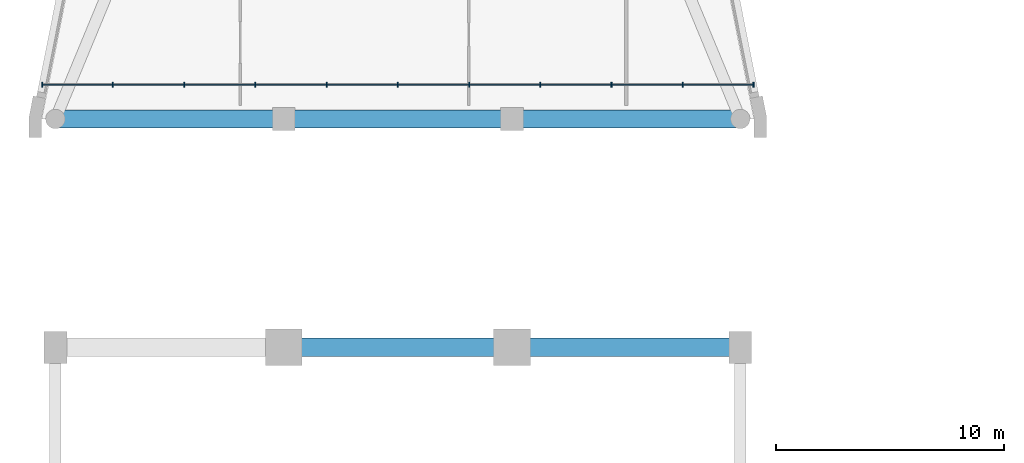
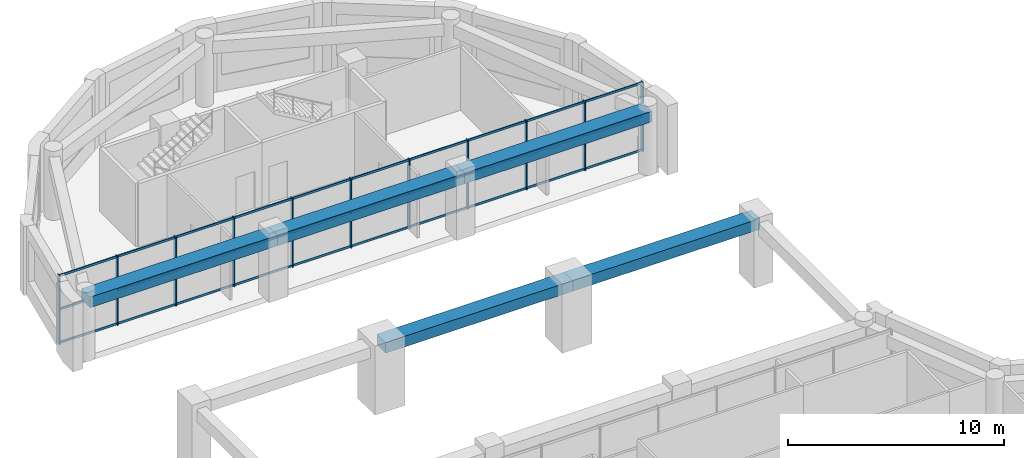
# One storey, part 3 of 11: 41 members, 5 beams, 1 element without a shape of its own.
"""IFC4 building model written with IfcOpenShell, lengths in metres."""

from ifc_helpers import new_model, si_unit, direction, frame, origin, origin_2d, place, context, subcontext, project, spatial, rectangle, extrude, material, layer, layer_set, material_profile, profile_set, type_object, element, aggregate, save


model = new_model("IFC4")

# Units and contexts
model_context = context("Model", 3, precision=1e-05, world=origin(), true_north=direction((0.0, 1.0)))
body_context = subcontext(model_context, "Body", "Model", "MODEL_VIEW")
ifc_project = project(units=[si_unit("LENGTHUNIT", "METRE"), si_unit("AREAUNIT", "SQUARE_METRE"), si_unit("VOLUMEUNIT", "CUBIC_METRE"), si_unit("PLANEANGLEUNIT", "RADIAN"), si_unit("MASSUNIT", "GRAM", prefix="KILO")], contexts=[model_context])

# Site, building, storey
site_placement = place(None, origin())
site = spatial("IfcSite", under=ifc_project, at=site_placement, CompositionType="ELEMENT")
building_placement = place(site_placement, origin())
building = spatial("IfcBuilding", under=site, at=building_placement, Name="Qaws Garden Tower", CompositionType="ELEMENT")
storey_placement = place(building_placement, frame((0.0, 0.0, 317.699951171875)))
storey = spatial("IfcBuildingStorey", under=building, at=storey_placement, Name="L77", CompositionType="ELEMENT", Elevation=317.699951171875)

# Curtain wall, members
ifc_material_1 = material(Name="Anodised aluminium curtain wall frame", Category="aluminium")
ifc_layer = layer(ifc_material_1, 0.159912109375)
ifc_layer_set = layer_set([ifc_layer], Name="Anodised aluminium curtain wall frame")
curtain_wall_type = type_object("IfcCurtainWallType", Name="CW5 portal screen curtain wall", PredefinedType="NOTDEFINED", material=ifc_layer_set)
curtain_wall_placement = place(storey_placement, origin())
curtain_wall = element("IfcCurtainWall", 1, at=curtain_wall_placement, inside=storey, type_object=curtain_wall_type, Name="CW5 Portal screen 1", PredefinedType="NOTDEFINED")
ifc_material_2 = material(Name="Anodised aluminium curtain wall frame", Category="aluminium")
ifc_material_profile_1 = material_profile(ifc_material_2, rectangle(XDim=0.199951171875, YDim=0.050048828125, at=origin_2d()), Name="AL 50x200")
ifc_profile_set_1 = profile_set([ifc_material_profile_1], Name="Anodised aluminium curtain wall frame")
member_type_1 = type_object("IfcMemberType", Name="CW5 mullion 50 x 200", PredefinedType="MULLION", material=ifc_profile_set_1)
member_1_placement = place(storey_placement, frame((-0.574951171875, 61.5, 0.0), z_axis=(0.0, 0.0, 1.0), x_axis=(0.0, 1.0, 0.0)))
member_1 = element("IfcMember", 2, at=member_1_placement, type_object=member_type_1, Name="CW5 mullion 1", PredefinedType="MULLION", context=body_context, shape_type="SweptSolid", body=[
    extrude(rectangle(XDim=0.199951171875, YDim=0.050048828125, at=origin_2d()), origin(), (0.0, 0.0, 1.0), 3.900146484375),
])
member_2_placement = place(storey_placement, frame((2.52001953125, 61.5, 0.0), z_axis=(0.0, 0.0, 1.0), x_axis=(0.0, 1.0, 0.0)))
member_2 = element("IfcMember", 3, at=member_2_placement, type_object=member_type_1, Name="CW5 mullion 2", PredefinedType="MULLION", context=body_context, shape_type="SweptSolid", body=[
    extrude(rectangle(XDim=0.199951171875, YDim=0.050048828125, at=origin_2d()), origin(), (0.0, 0.0, 1.0), 3.900146484375),
])
member_3_placement = place(storey_placement, frame((5.639892578125, 61.5, 0.0), z_axis=(0.0, 0.0, 1.0), x_axis=(0.0, 1.0, 0.0)))
member_3 = element("IfcMember", 4, at=member_3_placement, type_object=member_type_1, Name="CW5 mullion 3", PredefinedType="MULLION", context=body_context, shape_type="SweptSolid", body=[
    extrude(rectangle(XDim=0.199951171875, YDim=0.050048828125, at=origin_2d()), origin(), (0.0, 0.0, 1.0), 3.900146484375),
])
member_4_placement = place(storey_placement, frame((8.760009765625, 61.5, 0.0), z_axis=(0.0, 0.0, 1.0), x_axis=(0.0, 1.0, 0.0)))
member_4 = element("IfcMember", 5, at=member_4_placement, type_object=member_type_1, Name="CW5 mullion 4", PredefinedType="MULLION", context=body_context, shape_type="SweptSolid", body=[
    extrude(rectangle(XDim=0.199951171875, YDim=0.050048828125, at=origin_2d()), origin(), (0.0, 0.0, 1.0), 3.900146484375),
])
member_5_placement = place(storey_placement, frame((11.8798828125, 61.5, 0.0), z_axis=(0.0, 0.0, 1.0), x_axis=(0.0, 1.0, 0.0)))
member_5 = element("IfcMember", 6, at=member_5_placement, type_object=member_type_1, Name="CW5 mullion 5", PredefinedType="MULLION", context=body_context, shape_type="SweptSolid", body=[
    extrude(rectangle(XDim=0.199951171875, YDim=0.050048828125, at=origin_2d()), origin(), (0.0, 0.0, 1.0), 3.900146484375),
])
member_6_placement = place(storey_placement, frame((15.0, 61.5, 0.0), z_axis=(0.0, 0.0, 1.0), x_axis=(0.0, 1.0, 0.0)))
member_6 = element("IfcMember", 7, at=member_6_placement, type_object=member_type_1, Name="CW5 mullion 6", PredefinedType="MULLION", context=body_context, shape_type="SweptSolid", body=[
    extrude(rectangle(XDim=0.199951171875, YDim=0.050048828125, at=origin_2d()), origin(), (0.0, 0.0, 1.0), 3.900146484375),
])
member_7_placement = place(storey_placement, frame((18.1201171875, 61.5, 0.0), z_axis=(0.0, 0.0, 1.0), x_axis=(0.0, 1.0, 0.0)))
member_7 = element("IfcMember", 8, at=member_7_placement, type_object=member_type_1, Name="CW5 mullion 7", PredefinedType="MULLION", context=body_context, shape_type="SweptSolid", body=[
    extrude(rectangle(XDim=0.199951171875, YDim=0.050048828125, at=origin_2d()), origin(), (0.0, 0.0, 1.0), 3.900146484375),
])
member_8_placement = place(storey_placement, frame((21.239990234375, 61.5, 0.0), z_axis=(0.0, 0.0, 1.0), x_axis=(0.0, 1.0, 0.0)))
member_8 = element("IfcMember", 9, at=member_8_placement, type_object=member_type_1, Name="CW5 mullion 8", PredefinedType="MULLION", context=body_context, shape_type="SweptSolid", body=[
    extrude(rectangle(XDim=0.199951171875, YDim=0.050048828125, at=origin_2d()), origin(), (0.0, 0.0, 1.0), 3.900146484375),
])
member_9_placement = place(storey_placement, frame((24.360107421875, 61.5, 0.0), z_axis=(0.0, 0.0, 1.0), x_axis=(0.0, 1.0, 0.0)))
member_9 = element("IfcMember", 10, at=member_9_placement, type_object=member_type_1, Name="CW5 mullion 9", PredefinedType="MULLION", context=body_context, shape_type="SweptSolid", body=[
    extrude(rectangle(XDim=0.199951171875, YDim=0.050048828125, at=origin_2d()), origin(), (0.0, 0.0, 1.0), 3.900146484375),
])
member_10_placement = place(storey_placement, frame((27.47998046875, 61.5, 0.0), z_axis=(0.0, 0.0, 1.0), x_axis=(0.0, 1.0, 0.0)))
member_10 = element("IfcMember", 11, at=member_10_placement, type_object=member_type_1, Name="CW5 mullion 10", PredefinedType="MULLION", context=body_context, shape_type="SweptSolid", body=[
    extrude(rectangle(XDim=0.199951171875, YDim=0.050048828125, at=origin_2d()), origin(), (0.0, 0.0, 1.0), 3.900146484375),
])
member_11_placement = place(storey_placement, frame((30.574951171875, 61.5, 0.0), z_axis=(0.0, 0.0, 1.0), x_axis=(0.0, 1.0, 0.0)))
member_11 = element("IfcMember", 12, at=member_11_placement, type_object=member_type_1, Name="CW5 mullion 11", PredefinedType="MULLION", context=body_context, shape_type="SweptSolid", body=[
    extrude(rectangle(XDim=0.199951171875, YDim=0.050048828125, at=origin_2d()), origin(), (0.0, 0.0, 1.0), 3.900146484375),
])
ifc_material_3 = material(Name="Anodised aluminium curtain wall frame", Category="aluminium")
ifc_material_profile_2 = material_profile(ifc_material_3, rectangle(XDim=0.050048828125, YDim=0.1201171875, at=origin_2d()), Name="AL 50x120")
ifc_profile_set_2 = profile_set([ifc_material_profile_2], Name="Anodised aluminium curtain wall frame")
member_type_2 = type_object("IfcMemberType", Name="CW5 transom 120 x 50", PredefinedType="USERDEFINED", material=ifc_profile_set_2)
member_12_placement = place(storey_placement, frame((-0.550048828125, 61.5, 0.06005859375), z_axis=(1.0, 0.0, 0.0), x_axis=(0.0, 1.0, 0.0)))
member_12 = element("IfcMember", 13, at=member_12_placement, type_object=member_type_2, Name="CW5 transom 1.1", ObjectType="TRANSOM", PredefinedType="USERDEFINED", context=body_context, shape_type="SweptSolid", body=[
    extrude(rectangle(XDim=0.050048828125, YDim=0.1201171875, at=origin_2d()), origin(), (0.0, 0.0, 1.0), 3.045166015625),
])
member_13_placement = place(storey_placement, frame((-0.550048828125, 61.5, 1.949951171875), z_axis=(1.0, 0.0, 0.0), x_axis=(0.0, 1.0, 0.0)))
member_13 = element("IfcMember", 14, at=member_13_placement, type_object=member_type_2, Name="CW5 transom 1.2", ObjectType="TRANSOM", PredefinedType="USERDEFINED", context=body_context, shape_type="SweptSolid", body=[
    extrude(rectangle(XDim=0.050048828125, YDim=0.1201171875, at=origin_2d()), origin(), (0.0, 0.0, 1.0), 3.045166015625),
])
member_14_placement = place(storey_placement, frame((-0.550048828125, 61.5, 3.840087890625), z_axis=(1.0, 0.0, 0.0), x_axis=(0.0, 1.0, 0.0)))
member_14 = element("IfcMember", 15, at=member_14_placement, type_object=member_type_2, Name="CW5 transom 1.3", ObjectType="TRANSOM", PredefinedType="USERDEFINED", context=body_context, shape_type="SweptSolid", body=[
    extrude(rectangle(XDim=0.050048828125, YDim=0.1201171875, at=origin_2d()), origin(), (0.0, 0.0, 1.0), 3.045166015625),
])
member_15_placement = place(storey_placement, frame((2.544921875, 61.5, 0.06005859375), z_axis=(1.0, 0.0, 0.0), x_axis=(0.0, 1.0, 0.0)))
member_15 = element("IfcMember", 16, at=member_15_placement, type_object=member_type_2, Name="CW5 transom 2.1", ObjectType="TRANSOM", PredefinedType="USERDEFINED", context=body_context, shape_type="SweptSolid", body=[
    extrude(rectangle(XDim=0.050048828125, YDim=0.1201171875, at=origin_2d()), origin(), (0.0, 0.0, 1.0), 3.070068359375),
])
member_16_placement = place(storey_placement, frame((2.544921875, 61.5, 1.949951171875), z_axis=(1.0, 0.0, 0.0), x_axis=(0.0, 1.0, 0.0)))
member_16 = element("IfcMember", 17, at=member_16_placement, type_object=member_type_2, Name="CW5 transom 2.2", ObjectType="TRANSOM", PredefinedType="USERDEFINED", context=body_context, shape_type="SweptSolid", body=[
    extrude(rectangle(XDim=0.050048828125, YDim=0.1201171875, at=origin_2d()), origin(), (0.0, 0.0, 1.0), 3.070068359375),
])
member_17_placement = place(storey_placement, frame((2.544921875, 61.5, 3.840087890625), z_axis=(1.0, 0.0, 0.0), x_axis=(0.0, 1.0, 0.0)))
member_17 = element("IfcMember", 18, at=member_17_placement, type_object=member_type_2, Name="CW5 transom 2.3", ObjectType="TRANSOM", PredefinedType="USERDEFINED", context=body_context, shape_type="SweptSolid", body=[
    extrude(rectangle(XDim=0.050048828125, YDim=0.1201171875, at=origin_2d()), origin(), (0.0, 0.0, 1.0), 3.070068359375),
])
member_18_placement = place(storey_placement, frame((5.6650390625, 61.5, 0.06005859375), z_axis=(1.0, 0.0, 0.0), x_axis=(0.0, 1.0, 0.0)))
member_18 = element("IfcMember", 19, at=member_18_placement, type_object=member_type_2, Name="CW5 transom 3.1", ObjectType="TRANSOM", PredefinedType="USERDEFINED", context=body_context, shape_type="SweptSolid", body=[
    extrude(rectangle(XDim=0.050048828125, YDim=0.1201171875, at=origin_2d()), origin(), (0.0, 0.0, 1.0), 3.070068359375),
])
member_19_placement = place(storey_placement, frame((5.6650390625, 61.5, 1.949951171875), z_axis=(1.0, 0.0, 0.0), x_axis=(0.0, 1.0, 0.0)))
member_19 = element("IfcMember", 20, at=member_19_placement, type_object=member_type_2, Name="CW5 transom 3.2", ObjectType="TRANSOM", PredefinedType="USERDEFINED", context=body_context, shape_type="SweptSolid", body=[
    extrude(rectangle(XDim=0.050048828125, YDim=0.1201171875, at=origin_2d()), origin(), (0.0, 0.0, 1.0), 3.070068359375),
])
member_20_placement = place(storey_placement, frame((5.6650390625, 61.5, 3.840087890625), z_axis=(1.0, 0.0, 0.0), x_axis=(0.0, 1.0, 0.0)))
member_20 = element("IfcMember", 21, at=member_20_placement, type_object=member_type_2, Name="CW5 transom 3.3", ObjectType="TRANSOM", PredefinedType="USERDEFINED", context=body_context, shape_type="SweptSolid", body=[
    extrude(rectangle(XDim=0.050048828125, YDim=0.1201171875, at=origin_2d()), origin(), (0.0, 0.0, 1.0), 3.070068359375),
])
member_21_placement = place(storey_placement, frame((8.784912109375, 61.5, 0.06005859375), z_axis=(1.0, 0.0, 0.0), x_axis=(0.0, 1.0, 0.0)))
member_21 = element("IfcMember", 22, at=member_21_placement, type_object=member_type_2, Name="CW5 transom 4.1", ObjectType="TRANSOM", PredefinedType="USERDEFINED", context=body_context, shape_type="SweptSolid", body=[
    extrude(rectangle(XDim=0.050048828125, YDim=0.1201171875, at=origin_2d()), origin(), (0.0, 0.0, 1.0), 3.070068359375),
])
member_22_placement = place(storey_placement, frame((8.784912109375, 61.5, 1.949951171875), z_axis=(1.0, 0.0, 0.0), x_axis=(0.0, 1.0, 0.0)))
member_22 = element("IfcMember", 23, at=member_22_placement, type_object=member_type_2, Name="CW5 transom 4.2", ObjectType="TRANSOM", PredefinedType="USERDEFINED", context=body_context, shape_type="SweptSolid", body=[
    extrude(rectangle(XDim=0.050048828125, YDim=0.1201171875, at=origin_2d()), origin(), (0.0, 0.0, 1.0), 3.070068359375),
])
member_23_placement = place(storey_placement, frame((8.784912109375, 61.5, 3.840087890625), z_axis=(1.0, 0.0, 0.0), x_axis=(0.0, 1.0, 0.0)))
member_23 = element("IfcMember", 24, at=member_23_placement, type_object=member_type_2, Name="CW5 transom 4.3", ObjectType="TRANSOM", PredefinedType="USERDEFINED", context=body_context, shape_type="SweptSolid", body=[
    extrude(rectangle(XDim=0.050048828125, YDim=0.1201171875, at=origin_2d()), origin(), (0.0, 0.0, 1.0), 3.070068359375),
])
member_24_placement = place(storey_placement, frame((11.905029296875, 61.5, 0.06005859375), z_axis=(1.0, 0.0, 0.0), x_axis=(0.0, 1.0, 0.0)))
member_24 = element("IfcMember", 25, at=member_24_placement, type_object=member_type_2, Name="CW5 transom 5.1", ObjectType="TRANSOM", PredefinedType="USERDEFINED", context=body_context, shape_type="SweptSolid", body=[
    extrude(rectangle(XDim=0.050048828125, YDim=0.1201171875, at=origin_2d()), origin(), (0.0, 0.0, 1.0), 3.070068359375),
])
member_25_placement = place(storey_placement, frame((11.905029296875, 61.5, 1.949951171875), z_axis=(1.0, 0.0, 0.0), x_axis=(0.0, 1.0, 0.0)))
member_25 = element("IfcMember", 26, at=member_25_placement, type_object=member_type_2, Name="CW5 transom 5.2", ObjectType="TRANSOM", PredefinedType="USERDEFINED", context=body_context, shape_type="SweptSolid", body=[
    extrude(rectangle(XDim=0.050048828125, YDim=0.1201171875, at=origin_2d()), origin(), (0.0, 0.0, 1.0), 3.070068359375),
])
member_26_placement = place(storey_placement, frame((11.905029296875, 61.5, 3.840087890625), z_axis=(1.0, 0.0, 0.0), x_axis=(0.0, 1.0, 0.0)))
member_26 = element("IfcMember", 27, at=member_26_placement, type_object=member_type_2, Name="CW5 transom 5.3", ObjectType="TRANSOM", PredefinedType="USERDEFINED", context=body_context, shape_type="SweptSolid", body=[
    extrude(rectangle(XDim=0.050048828125, YDim=0.1201171875, at=origin_2d()), origin(), (0.0, 0.0, 1.0), 3.070068359375),
])
member_27_placement = place(storey_placement, frame((15.02490234375, 61.5, 0.06005859375), z_axis=(1.0, 0.0, 0.0), x_axis=(0.0, 1.0, 0.0)))
member_27 = element("IfcMember", 28, at=member_27_placement, type_object=member_type_2, Name="CW5 transom 6.1", ObjectType="TRANSOM", PredefinedType="USERDEFINED", context=body_context, shape_type="SweptSolid", body=[
    extrude(rectangle(XDim=0.050048828125, YDim=0.1201171875, at=origin_2d()), origin(), (0.0, 0.0, 1.0), 3.070068359375),
])
member_28_placement = place(storey_placement, frame((15.02490234375, 61.5, 1.949951171875), z_axis=(1.0, 0.0, 0.0), x_axis=(0.0, 1.0, 0.0)))
member_28 = element("IfcMember", 29, at=member_28_placement, type_object=member_type_2, Name="CW5 transom 6.2", ObjectType="TRANSOM", PredefinedType="USERDEFINED", context=body_context, shape_type="SweptSolid", body=[
    extrude(rectangle(XDim=0.050048828125, YDim=0.1201171875, at=origin_2d()), origin(), (0.0, 0.0, 1.0), 3.070068359375),
])
member_29_placement = place(storey_placement, frame((15.02490234375, 61.5, 3.840087890625), z_axis=(1.0, 0.0, 0.0), x_axis=(0.0, 1.0, 0.0)))
member_29 = element("IfcMember", 30, at=member_29_placement, type_object=member_type_2, Name="CW5 transom 6.3", ObjectType="TRANSOM", PredefinedType="USERDEFINED", context=body_context, shape_type="SweptSolid", body=[
    extrude(rectangle(XDim=0.050048828125, YDim=0.1201171875, at=origin_2d()), origin(), (0.0, 0.0, 1.0), 3.070068359375),
])
member_30_placement = place(storey_placement, frame((18.14501953125, 61.5, 0.06005859375), z_axis=(1.0, 0.0, 0.0), x_axis=(0.0, 1.0, 0.0)))
member_30 = element("IfcMember", 31, at=member_30_placement, type_object=member_type_2, Name="CW5 transom 7.1", ObjectType="TRANSOM", PredefinedType="USERDEFINED", context=body_context, shape_type="SweptSolid", body=[
    extrude(rectangle(XDim=0.050048828125, YDim=0.1201171875, at=origin_2d()), origin(), (0.0, 0.0, 1.0), 3.070068359375),
])
member_31_placement = place(storey_placement, frame((18.14501953125, 61.5, 1.949951171875), z_axis=(1.0, 0.0, 0.0), x_axis=(0.0, 1.0, 0.0)))
member_31 = element("IfcMember", 32, at=member_31_placement, type_object=member_type_2, Name="CW5 transom 7.2", ObjectType="TRANSOM", PredefinedType="USERDEFINED", context=body_context, shape_type="SweptSolid", body=[
    extrude(rectangle(XDim=0.050048828125, YDim=0.1201171875, at=origin_2d()), origin(), (0.0, 0.0, 1.0), 3.070068359375),
])
member_32_placement = place(storey_placement, frame((18.14501953125, 61.5, 3.840087890625), z_axis=(1.0, 0.0, 0.0), x_axis=(0.0, 1.0, 0.0)))
member_32 = element("IfcMember", 33, at=member_32_placement, type_object=member_type_2, Name="CW5 transom 7.3", ObjectType="TRANSOM", PredefinedType="USERDEFINED", context=body_context, shape_type="SweptSolid", body=[
    extrude(rectangle(XDim=0.050048828125, YDim=0.1201171875, at=origin_2d()), origin(), (0.0, 0.0, 1.0), 3.070068359375),
])
member_33_placement = place(storey_placement, frame((21.264892578125, 61.5, 0.06005859375), z_axis=(1.0, 0.0, 0.0), x_axis=(0.0, 1.0, 0.0)))
member_33 = element("IfcMember", 34, at=member_33_placement, type_object=member_type_2, Name="CW5 transom 8.1", ObjectType="TRANSOM", PredefinedType="USERDEFINED", context=body_context, shape_type="SweptSolid", body=[
    extrude(rectangle(XDim=0.050048828125, YDim=0.1201171875, at=origin_2d()), origin(), (0.0, 0.0, 1.0), 3.070068359375),
])
member_34_placement = place(storey_placement, frame((21.264892578125, 61.5, 1.949951171875), z_axis=(1.0, 0.0, 0.0), x_axis=(0.0, 1.0, 0.0)))
member_34 = element("IfcMember", 35, at=member_34_placement, type_object=member_type_2, Name="CW5 transom 8.2", ObjectType="TRANSOM", PredefinedType="USERDEFINED", context=body_context, shape_type="SweptSolid", body=[
    extrude(rectangle(XDim=0.050048828125, YDim=0.1201171875, at=origin_2d()), origin(), (0.0, 0.0, 1.0), 3.070068359375),
])
member_35_placement = place(storey_placement, frame((21.264892578125, 61.5, 3.840087890625), z_axis=(1.0, 0.0, 0.0), x_axis=(0.0, 1.0, 0.0)))
member_35 = element("IfcMember", 36, at=member_35_placement, type_object=member_type_2, Name="CW5 transom 8.3", ObjectType="TRANSOM", PredefinedType="USERDEFINED", context=body_context, shape_type="SweptSolid", body=[
    extrude(rectangle(XDim=0.050048828125, YDim=0.1201171875, at=origin_2d()), origin(), (0.0, 0.0, 1.0), 3.070068359375),
])
member_36_placement = place(storey_placement, frame((24.385009765625, 61.5, 0.06005859375), z_axis=(1.0, 0.0, 0.0), x_axis=(0.0, 1.0, 0.0)))
member_36 = element("IfcMember", 37, at=member_36_placement, type_object=member_type_2, Name="CW5 transom 9.1", ObjectType="TRANSOM", PredefinedType="USERDEFINED", context=body_context, shape_type="SweptSolid", body=[
    extrude(rectangle(XDim=0.050048828125, YDim=0.1201171875, at=origin_2d()), origin(), (0.0, 0.0, 1.0), 3.070068359375),
])
member_37_placement = place(storey_placement, frame((24.385009765625, 61.5, 1.949951171875), z_axis=(1.0, 0.0, 0.0), x_axis=(0.0, 1.0, 0.0)))
member_37 = element("IfcMember", 38, at=member_37_placement, type_object=member_type_2, Name="CW5 transom 9.2", ObjectType="TRANSOM", PredefinedType="USERDEFINED", context=body_context, shape_type="SweptSolid", body=[
    extrude(rectangle(XDim=0.050048828125, YDim=0.1201171875, at=origin_2d()), origin(), (0.0, 0.0, 1.0), 3.070068359375),
])
member_38_placement = place(storey_placement, frame((24.385009765625, 61.5, 3.840087890625), z_axis=(1.0, 0.0, 0.0), x_axis=(0.0, 1.0, 0.0)))
member_38 = element("IfcMember", 39, at=member_38_placement, type_object=member_type_2, Name="CW5 transom 9.3", ObjectType="TRANSOM", PredefinedType="USERDEFINED", context=body_context, shape_type="SweptSolid", body=[
    extrude(rectangle(XDim=0.050048828125, YDim=0.1201171875, at=origin_2d()), origin(), (0.0, 0.0, 1.0), 3.070068359375),
])
member_39_placement = place(storey_placement, frame((27.5048828125, 61.5, 0.06005859375), z_axis=(1.0, 0.0, 0.0), x_axis=(0.0, 1.0, 0.0)))
member_39 = element("IfcMember", 40, at=member_39_placement, type_object=member_type_2, Name="CW5 transom 10.1", ObjectType="TRANSOM", PredefinedType="USERDEFINED", context=body_context, shape_type="SweptSolid", body=[
    extrude(rectangle(XDim=0.050048828125, YDim=0.1201171875, at=origin_2d()), origin(), (0.0, 0.0, 1.0), 3.045166015625),
])
member_40_placement = place(storey_placement, frame((27.5048828125, 61.5, 1.949951171875), z_axis=(1.0, 0.0, 0.0), x_axis=(0.0, 1.0, 0.0)))
member_40 = element("IfcMember", 41, at=member_40_placement, type_object=member_type_2, Name="CW5 transom 10.2", ObjectType="TRANSOM", PredefinedType="USERDEFINED", context=body_context, shape_type="SweptSolid", body=[
    extrude(rectangle(XDim=0.050048828125, YDim=0.1201171875, at=origin_2d()), origin(), (0.0, 0.0, 1.0), 3.045166015625),
])
member_41_placement = place(storey_placement, frame((27.5048828125, 61.5, 3.840087890625), z_axis=(1.0, 0.0, 0.0), x_axis=(0.0, 1.0, 0.0)))
member_41 = element("IfcMember", 42, at=member_41_placement, type_object=member_type_2, Name="CW5 transom 10.3", ObjectType="TRANSOM", PredefinedType="USERDEFINED", context=body_context, shape_type="SweptSolid", body=[
    extrude(rectangle(XDim=0.050048828125, YDim=0.1201171875, at=origin_2d()), origin(), (0.0, 0.0, 1.0), 3.045166015625),
])
aggregate(curtain_wall, [member_1, member_2, member_3, member_4, member_5, member_6, member_7, member_8, member_9, member_10, member_11, member_12, member_13, member_14, member_15, member_16, member_17, member_18, member_19, member_20, member_21, member_22, member_23, member_24, member_25, member_26, member_27, member_28, member_29, member_30, member_31, member_32, member_33, member_34, member_35, member_36, member_37, member_38, member_39, member_40, member_41])

# Beams
ifc_material_4 = material(Name="Concrete C45", Category="concrete")
ifc_material_profile_3 = material_profile(ifc_material_4, rectangle(XDim=0.800048828125, YDim=0.60009765625, at=origin_2d()), Name="RC 800x600")
ifc_profile_set_3 = profile_set([ifc_material_profile_3], Name="Concrete C45")
beam_type = type_object("IfcBeamType", Name="Portal edge beam RC 800x600 C45", PredefinedType="BEAM", material=ifc_profile_set_3)
for number, where, z_axis, x_axis, name in (
    (43, (10.0, 50.0, 3.280029296875), (1.0, 0.0, 0.0), (0.0, 1.0, 0.0), "Portal tie beam L77-5"),
    (44, (20.0, 50.0, 3.280029296875), (1.0, 0.0, 0.0), (0.0, 1.0, 0.0), "Portal tie beam L77-6"),
    (45, (0.0, 60.0, 3.280029296875), (1.0, 0.0, 0.0), (0.0, 1.0, 0.0), "Portal edge beam L77-7"),
    (46, (10.0, 60.0, 3.280029296875), (1.0, 0.0, 0.0), (0.0, 1.0, 0.0), "Portal edge beam L77-8"),
    (47, (20.0, 60.0, 3.280029296875), (1.0, 0.0, 0.0), (0.0, 1.0, 0.0), "Portal edge beam L77-9"),
):
    element("IfcBeam", number, at=place(storey_placement, frame(where, z_axis=z_axis, x_axis=x_axis)), inside=storey, type_object=beam_type, Name=name, PredefinedType="BEAM", context=body_context, shape_type="SweptSolid", body=[
        extrude(rectangle(XDim=0.800048828125, YDim=0.60009765625, at=origin_2d()), origin(), (0.0, 0.0, 1.0), 10.0),
    ])

save(model, "model.ifc")
